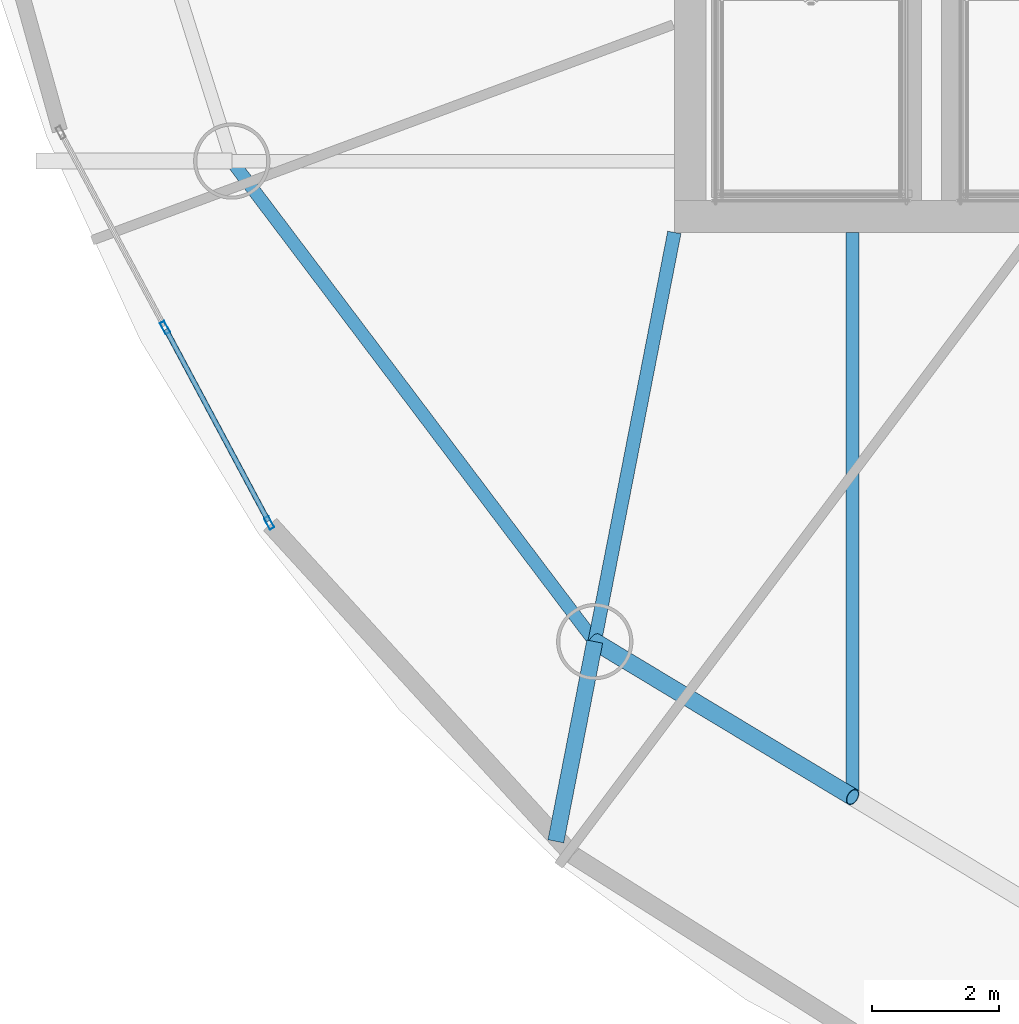
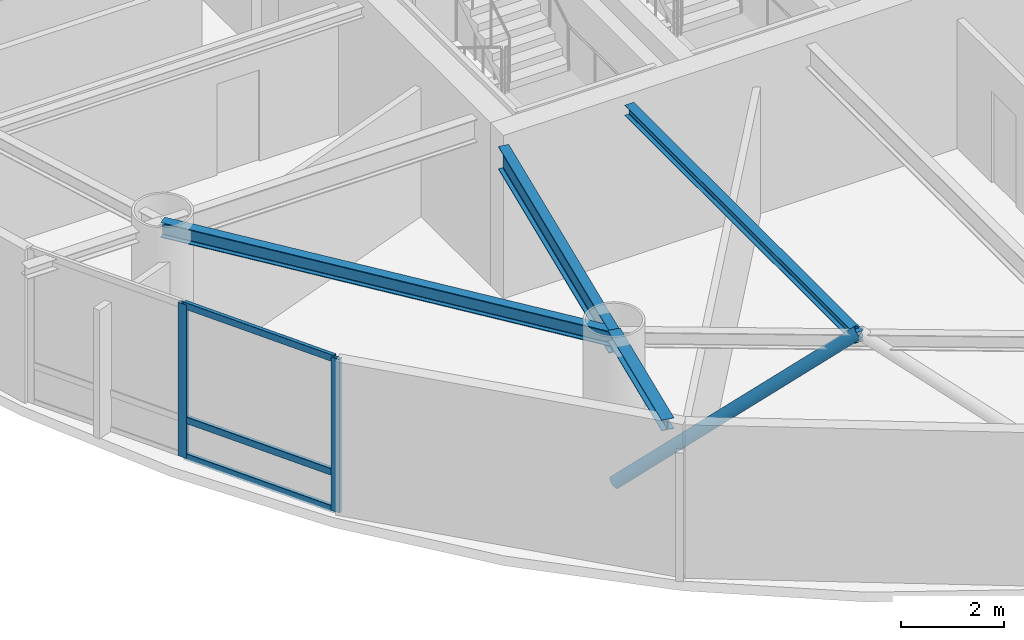
# One storey, part 2 of 22: 6 members, 4 beams, 1 element without a shape of its own.
"""IFC4 building model written with IfcOpenShell, lengths in metres."""

import ifcopenshell
import ifcopenshell.guid

model = None  # the IFC model being written
_history = None  # IfcOwnerHistory: only IFC2X3 demands one
_inside = {}  # id of a spatial element -> (the spatial element, [elements in it])
_under = {}  # id of a project, library or spatial element -> (it, [spatial elements below it])
_declared = {}  # id of a project -> (the project, [libraries it declares])
_typed = {}  # id of a type object -> (the type object, [elements of that type])
_made_of = {}  # id of a material, layer set ... -> (it, [elements and type objects made of it])


def new_model(schema):
    """Start an empty IFC model of exactly this schema.

    Asked for "IFC4X3", IfcOpenShell would pick the latest addendum, in which some entities
    have other attributes; the version numbers below select the first issue.
    IFC2X3 requires an IfcOwnerHistory on every rooted entity: one is made here for all.
    """
    global model, _history
    if schema == "IFC4X3":
        model = ifcopenshell.file(schema_version=(4, 3, 0, 0))
    else:
        model = ifcopenshell.file(schema=schema)
    _inside.clear()
    _under.clear()
    _declared.clear()
    _typed.clear()
    _made_of.clear()
    _history = None
    if model.schema == "IFC2X3":
        org = make("IfcOrganization", Name="unknown")
        user = make(
            "IfcPersonAndOrganization",
            ThePerson=make("IfcPerson", FamilyName="unknown"),
            TheOrganization=org,
        )
        app = make(
            "IfcApplication",
            ApplicationDeveloper=org,
            Version="unknown",
            ApplicationFullName="unknown",
            ApplicationIdentifier="unknown",
        )
        _history = make(
            "IfcOwnerHistory",
            OwningUser=user,
            OwningApplication=app,
            ChangeAction="ADDED",
            CreationDate=0,
        )
    return model


def make(cls, **values):
    """One entity of the class cls with the attributes given. An attribute that is None is left unset."""
    return model.create_entity(
        cls, **{name: value for name, value in values.items() if value is not None}
    )


def rooted(cls, **values):
    """An entity with a GlobalId (a new one), such as an element, a storey or a relation."""
    return make(cls, GlobalId=ifcopenshell.guid.new(), OwnerHistory=_history, **values)


def si_unit(unit_type, name, prefix=None):
    """IfcSIUnit, for example si_unit("LENGTHUNIT", "METRE", prefix="MILLI")."""
    return make("IfcSIUnit", UnitType=unit_type, Prefix=prefix, Name=name)


def assignment(units):
    """IfcUnitAssignment: the units of a project."""
    return None if units is None else make("IfcUnitAssignment", Units=units)


def point(xyz):
    """IfcCartesianPoint."""
    return None if xyz is None else make("IfcCartesianPoint", Coordinates=xyz)


def direction(xyz):
    """IfcDirection."""
    return None if xyz is None else make("IfcDirection", DirectionRatios=xyz)


def frame(location, z_axis=None, x_axis=None):
    """IfcAxis2Placement3D, a coordinate frame: its origin and axes. An axis left out is left unset."""
    return make(
        "IfcAxis2Placement3D",
        Location=point(location),
        Axis=direction(z_axis),
        RefDirection=direction(x_axis),
    )


def frame_2d(location, x_axis=None):
    """IfcAxis2Placement2D, a coordinate frame in the plane: its origin and x axis."""
    return make(
        "IfcAxis2Placement2D", Location=point(location), RefDirection=direction(x_axis)
    )


def origin():
    """The frame at (0, 0, 0) with its axes left unset."""
    return frame((0.0, 0.0, 0.0))


def origin_2d():
    """The frame at (0, 0) in the plane with its x axis left unset."""
    return frame_2d((0.0, 0.0))


def place(relative_to, where):
    """IfcLocalPlacement: puts the frame where relative to a parent placement (None: the world)."""
    return make(
        "IfcLocalPlacement", PlacementRelTo=relative_to, RelativePlacement=where
    )


def context(
    kind, dimensions, precision=None, world=None, true_north=None, identifier=None
):
    """IfcGeometricRepresentationContext, for example the 3D "Model" context."""
    return make(
        "IfcGeometricRepresentationContext",
        ContextIdentifier=identifier,
        ContextType=kind,
        CoordinateSpaceDimension=dimensions,
        Precision=precision,
        WorldCoordinateSystem=world,
        TrueNorth=true_north,
    )


def subcontext(parent, identifier, kind, view, scale=None):
    """IfcGeometricRepresentationSubContext, for example "Body" below "Model"."""
    return make(
        "IfcGeometricRepresentationSubContext",
        ContextIdentifier=identifier,
        ContextType=kind,
        ParentContext=parent,
        TargetScale=scale,
        TargetView=view,
    )


def project(units=None, contexts=None):
    """IfcProject with its units and contexts."""
    return rooted(
        "IfcProject",
        Name="project",
        RepresentationContexts=contexts,
        UnitsInContext=assignment(units),
    )


def spatial(cls, under=None, at=None, **own):
    """A site, building, storey or space (cls), placed at a placement, below another one or the project."""
    s = rooted(cls, ObjectPlacement=at, **own)
    if under is not None:
        _under.setdefault(under.id(), (under, []))[1].append(s)
    return s


def profile(cls, at=None, kind="AREA", **sizes):
    """A parametric profile (cls). Its sizes go by their IFC names, for example OverallWidth=200.0."""
    return make(cls, ProfileType=kind, Position=at, **sizes)


def hollow_rectangle(**sizes):
    """IfcRectangleHollowProfileDef."""
    return profile("IfcRectangleHollowProfileDef", **sizes)


def hollow_circle(**sizes):
    """IfcCircleHollowProfileDef."""
    return profile("IfcCircleHollowProfileDef", **sizes)


def i_section(**sizes):
    """IfcIShapeProfileDef."""
    return profile("IfcIShapeProfileDef", **sizes)


def extrude(swept, where, along, depth):
    """IfcExtrudedAreaSolid: the profile swept, set in the frame where, extruded along a direction by depth."""
    return make(
        "IfcExtrudedAreaSolid",
        SweptArea=swept,
        Position=where,
        ExtrudedDirection=direction(along),
        Depth=depth,
    )


def shape(context_of_items, identifier, shape_type, items):
    """IfcShapeRepresentation: the items that make up one representation, for example the "Body"."""
    return make(
        "IfcShapeRepresentation",
        ContextOfItems=context_of_items,
        RepresentationIdentifier=identifier,
        RepresentationType=shape_type,
        Items=items,
    )


def material(Name=None, Category=None):
    """IfcMaterial."""
    return make("IfcMaterial", Name=Name, Category=Category)


def layer(
    of_material, thickness, ventilated=None, Name=None, Category=None, Priority=None
):
    """IfcMaterialLayer: one layer of a wall or slab, of a material (None: an air gap)."""
    return make(
        "IfcMaterialLayer",
        Material=of_material,
        LayerThickness=thickness,
        IsVentilated=ventilated,
        Name=Name,
        Category=Category,
        Priority=Priority,
    )


def layer_set(layers, Name=None):
    """IfcMaterialLayerSet."""
    return make("IfcMaterialLayerSet", MaterialLayers=layers, LayerSetName=Name)


def material_profile(
    of_material, cross_section, Name=None, Category=None, Priority=None
):
    """IfcMaterialProfile: a cross section and its material."""
    return make(
        "IfcMaterialProfile",
        Name=Name,
        Material=of_material,
        Profile=cross_section,
        Priority=Priority,
        Category=Category,
    )


def profile_set(profiles, Name=None, composite=None):
    """IfcMaterialProfileSet."""
    return make(
        "IfcMaterialProfileSet",
        Name=Name,
        MaterialProfiles=profiles,
        CompositeProfile=composite,
    )


def made_of(thing, what):
    """Note that an element or type object is made of a material, layer set ...; save() writes the relation."""
    if what is not None:
        _made_of.setdefault(what.id(), (what, []))[1].append(thing)
    return thing


def type_object(cls, material=None, **own):
    """A type object (cls), such as IfcWallType, which elements share."""
    return made_of(rooted(cls, **own), material)


def element(
    cls,
    number,
    at=None,
    inside=None,
    cuts=None,
    type_object=None,
    material=None,
    context=None,
    identifier="Body",
    shape_type=None,
    held_by="IfcProductDefinitionShape",
    body=None,
    shapes=None,
    **own,
):
    """One element of the class cls, such as IfcWall. Its Tag is "e" and its number.

    at: its placement. inside: the storey or other place that contains it. cuts: it is an
    opening in that element (IfcRelVoidsElement). A single representation is given by context,
    identifier, shape_type and body (its items); several are given by shapes. held_by: the class
    of the entity that holds the representations. save() writes the other relations.
    """
    e = rooted(cls, Tag="e%d" % number, ObjectPlacement=at, **own)
    if body is not None:
        shapes = [shape(context, identifier, shape_type, body)]
    if shapes is not None:
        e.Representation = make(held_by, Representations=shapes)
    if inside is not None:
        _inside.setdefault(inside.id(), (inside, []))[1].append(e)
    if cuts is not None:
        rooted(
            "IfcRelVoidsElement", RelatingBuildingElement=cuts, RelatedOpeningElement=e
        )
    if type_object is not None:
        _typed.setdefault(type_object.id(), (type_object, []))[1].append(e)
    return made_of(e, material)


def aggregate(whole, parts):
    """IfcRelAggregates: a whole, such as a stair, and the parts it consists of."""
    return rooted("IfcRelAggregates", RelatingObject=whole, RelatedObjects=parts)


def save(model, path):
    """Write the relations noted so far, then the file.

    IfcRelAggregates (storeys below a building ...), IfcRelContainedInSpatialStructure (elements
    in a storey), IfcRelDefinesByType, IfcRelAssociatesMaterial and IfcRelDeclares: one each for
    every whole, place, type object, material and project.
    """
    for whole, parts in _under.values():
        aggregate(whole, parts)
    for where, things in _inside.values():
        rooted(
            "IfcRelContainedInSpatialStructure",
            RelatedElements=things,
            RelatingStructure=where,
        )
    for kind, things in _typed.values():
        rooted("IfcRelDefinesByType", RelatedObjects=things, RelatingType=kind)
    for what, things in _made_of.values():
        rooted("IfcRelAssociatesMaterial", RelatedObjects=things, RelatingMaterial=what)
    for by, libraries in _declared.values():
        rooted("IfcRelDeclares", RelatingContext=by, RelatedDefinitions=libraries)
    model.write(path)


model = new_model("IFC4")

# Units and contexts
model_context = context("Model", 3, precision=1e-05, world=origin(), true_north=direction((0.0, 1.0)))
body_context = subcontext(model_context, "Body", "Model", "MODEL_VIEW")
ifc_project = project(units=[si_unit("LENGTHUNIT", "METRE"), si_unit("AREAUNIT", "SQUARE_METRE"), si_unit("VOLUMEUNIT", "CUBIC_METRE"), si_unit("PLANEANGLEUNIT", "RADIAN"), si_unit("MASSUNIT", "GRAM", prefix="KILO")], contexts=[model_context])

# Site, building, storey
site_placement = place(None, origin())
site = spatial("IfcSite", under=ifc_project, at=site_placement, CompositionType="ELEMENT")
building_placement = place(site_placement, origin())
building = spatial("IfcBuilding", under=site, at=building_placement, Name="Bramvorn Convention Spire", CompositionType="ELEMENT")
storey_placement = place(building_placement, frame((0.0, 0.0, 190.449951171875)))
storey = spatial("IfcBuildingStorey", under=building, at=storey_placement, Name="L48", CompositionType="ELEMENT", Elevation=190.449951171875)

# Beams
ifc_material_1 = material(Name="Steel CSA G40.21 Grade 350 (350W)", Category="steel")
ifc_material_profile_1 = material_profile(ifc_material_1, i_section(OverallWidth=0.201904296875, OverallDepth=0.2470703125, WebThickness=0.00732421875, FlangeThickness=0.010986328125, FilletRadius=0.011962890625, at=origin_2d()))
ifc_profile_set_1 = profile_set([ifc_material_profile_1], Name="Steel CSA G40.21 Grade 350 (350W) - W250X49")
beam_type_1 = type_object("IfcBeamType", Name="BM-W250X49", PredefinedType="JOIST", material=ifc_profile_set_1)
beam_1_placement = place(storey_placement, frame((29.554443359375, 18.550048828125, 3.49658203125), z_axis=(0.0, -1.0, 0.0), x_axis=(1.0, 0.0, 0.0)))
element("IfcBeam", 1, at=beam_1_placement, inside=storey, type_object=beam_type_1, Name="L48 composite floor joist 13", PredefinedType="JOIST", context=body_context, shape_type="SweptSolid", body=[
    extrude(i_section(OverallWidth=0.201904296875, OverallDepth=0.2470703125, WebThickness=0.00732421875, FlangeThickness=0.010986328125, FilletRadius=0.011962890625, at=origin_2d()), origin(), (0.0, 0.0, 1.0), 8.878662109375),
])
ifc_material_profile_2 = material_profile(ifc_material_1, i_section(OverallWidth=0.25390625, OverallDepth=0.2529296875, WebThickness=0.008544921875, FlangeThickness=0.01416015625, FilletRadius=0.011962890625, at=origin_2d()))
ifc_profile_set_2 = profile_set([ifc_material_profile_2], Name="Steel CSA G40.21 Grade 350 (350W) - W250X73")
beam_type_2 = type_object("IfcBeamType", Name="BM-W250X73", PredefinedType="BEAM", material=ifc_profile_set_2)
beam_2_placement = place(storey_placement, frame((25.498046875, 12.114990234375, 3.49365234375), z_axis=(-0.190977895588, -0.981594337492, 0.0), x_axis=(0.981594337492, -0.190977895588, 0.0)))
element("IfcBeam", 2, at=beam_2_placement, inside=storey, type_object=beam_type_2, Name="L48 slab-edge cantilever tip beam MC13", PredefinedType="BEAM", context=body_context, shape_type="SweptSolid", body=[
    extrude(i_section(OverallWidth=0.25390625, OverallDepth=0.2529296875, WebThickness=0.008544921875, FlangeThickness=0.01416015625, FilletRadius=0.011962890625, at=origin_2d()), origin(), (0.0, 0.0, 1.0), 3.19970703125),
])
ifc_material_profile_3 = material_profile(ifc_material_1, i_section(OverallWidth=0.205078125, OverallDepth=0.35400390625, WebThickness=0.009521484375, FlangeThickness=0.016845703125, FilletRadius=0.014892578125, at=origin_2d()))
ifc_profile_set_3 = profile_set([ifc_material_profile_3], Name="Steel CSA G40.21 Grade 350 (350W) - W360X79")
beam_type_3 = type_object("IfcBeamType", Name="BM-W360X79", PredefinedType="JOIST", material=ifc_profile_set_3)
beam_3_placement = place(storey_placement, frame((19.78955078125, 19.672607421875, 3.443115234375), z_axis=(0.602718581414, -0.797953827999, 0.0), x_axis=(0.797953827999, 0.602718581414, 0.0)))
element("IfcBeam", 3, at=beam_3_placement, inside=storey, type_object=beam_type_3, Name="L48 mega-column ring beam 12", PredefinedType="JOIST", context=body_context, shape_type="SweptSolid", body=[
    extrude(i_section(OverallWidth=0.205078125, OverallDepth=0.35400390625, WebThickness=0.009521484375, FlangeThickness=0.016845703125, FilletRadius=0.014892578125, at=origin_2d()), origin(), (0.0, 0.0, 1.0), 9.47119140625),
])
ifc_material_profile_4 = material_profile(ifc_material_1, i_section(OverallWidth=0.2119140625, OverallDepth=0.5439453125, WebThickness=0.01318359375, FlangeThickness=0.021240234375, FilletRadius=0.01904296875, at=origin_2d()))
ifc_profile_set_4 = profile_set([ifc_material_profile_4], Name="Steel CSA G40.21 Grade 350 (350W) - W530X123")
beam_type_4 = type_object("IfcBeamType", Name="BM-W530X123", PredefinedType="BEAM", material=ifc_profile_set_4)
beam_4_placement = place(storey_placement, frame((26.75, 18.550048828125, 3.34814453125), z_axis=(-0.190971329886, -0.981595614885, 0.0), x_axis=(0.981595614885, -0.190971329886, 0.0)))
element("IfcBeam", 4, at=beam_4_placement, inside=storey, type_object=beam_type_4, Name="L48 radial floor girder MC13", PredefinedType="BEAM", context=body_context, shape_type="SweptSolid", body=[
    extrude(i_section(OverallWidth=0.2119140625, OverallDepth=0.5439453125, WebThickness=0.01318359375, FlangeThickness=0.021240234375, FilletRadius=0.01904296875, at=origin_2d()), origin(), (0.0, 0.0, 1.0), 6.5556640625),
])

# Curtain wall, members
ifc_material_2 = material(Name="Anodised Bronze Unitised Curtain Wall", Category="aluminium")
ifc_layer = layer(ifc_material_2, 0.179931640625)
ifc_layer_set = layer_set([ifc_layer], Name="Anodised Bronze Unitised Curtain Wall - CW-OFF-FRIT")
curtain_wall_type = type_object("IfcCurtainWallType", Name="CW-OFF-FRIT", PredefinedType="USERDEFINED", material=ifc_layer_set)
curtain_wall_placement = place(storey_placement, origin())
curtain_wall = element("IfcCurtainWall", 5, at=curtain_wall_placement, inside=storey, type_object=curtain_wall_type, Name="L48 fritted glass curtain wall 17", ObjectType="UNITISED CURTAIN WALL", PredefinedType="USERDEFINED")
ifc_material_3 = material(Name="Anodised Bronze Aluminium 6063-T6", Category="aluminium")
ifc_material_profile_5 = material_profile(ifc_material_3, hollow_rectangle(XDim=0.080078125, YDim=0.199951171875, WallThickness=0.00390625, InnerFilletRadius=0.0009765625, OuterFilletRadius=0.00390625, at=origin_2d()))
ifc_profile_set_5 = profile_set([ifc_material_profile_5], Name="Anodised Bronze Aluminium 6063-T6 - CWM80X200")
member_type_1 = type_object("IfcMemberType", Name="CW-MUL-180", PredefinedType="MULLION", material=ifc_profile_set_5)
member_1_placement = place(storey_placement, frame((20.37841796875, 13.983642578125, 0.0), z_axis=(0.0, 0.0, 1.0), x_axis=(-0.882046650653, -0.471162080469, 0.0)))
member_1 = element("IfcMember", 6, at=member_1_placement, type_object=member_type_1, Name="CW3 mullion 1", PredefinedType="MULLION", context=body_context, shape_type="SweptSolid", body=[
    extrude(hollow_rectangle(XDim=0.080078125, YDim=0.199951171875, WallThickness=0.00390625, InnerFilletRadius=0.0009765625, OuterFilletRadius=0.00390625, at=origin_2d()), origin(), (0.0, 0.0, 1.0), 3.6201171875),
])
member_2_placement = place(storey_placement, frame((18.739501953125, 17.05224609375, 0.0), z_axis=(0.0, 0.0, 1.0), x_axis=(-0.882046650653, -0.471162080469, 0.0)))
member_2 = element("IfcMember", 7, at=member_2_placement, type_object=member_type_1, Name="CW3 mullion 2", PredefinedType="MULLION", context=body_context, shape_type="SweptSolid", body=[
    extrude(hollow_rectangle(XDim=0.080078125, YDim=0.199951171875, WallThickness=0.00390625, InnerFilletRadius=0.0009765625, OuterFilletRadius=0.00390625, at=origin_2d()), origin(), (0.0, 0.0, 1.0), 3.6201171875),
])
ifc_material_profile_6 = material_profile(ifc_material_3, hollow_rectangle(XDim=0.080078125, YDim=0.159912109375, WallThickness=0.00390625, InnerFilletRadius=0.0009765625, OuterFilletRadius=0.00390625, at=origin_2d()))
ifc_profile_set_6 = profile_set([ifc_material_profile_6], Name="Anodised Bronze Aluminium 6063-T6 - CWT80X160")
member_type_2 = type_object("IfcMemberType", Name="CW-TRN-150", PredefinedType="USERDEFINED", material=ifc_profile_set_6)
member_3_placement = place(storey_placement, frame((20.3642578125, 14.01025390625, 0.030029296875), z_axis=(-0.471188595737, 0.882032486503, 0.0), x_axis=(-0.882032486503, -0.471188595737, 0.0)))
member_3 = element("IfcMember", 8, at=member_3_placement, type_object=member_type_2, Name="CW3 transom 1.1", ObjectType="TRANSOM", PredefinedType="USERDEFINED", context=body_context, shape_type="SweptSolid", body=[
    extrude(hollow_rectangle(XDim=0.080078125, YDim=0.159912109375, WallThickness=0.00390625, InnerFilletRadius=0.0009765625, OuterFilletRadius=0.00390625, at=origin_2d()), origin(), (0.0, 0.0, 1.0), 3.418701171875),
])
member_4_placement = place(storey_placement, frame((20.3642578125, 14.01025390625, 0.900146484375), z_axis=(-0.471188595737, 0.882032486503, 0.0), x_axis=(-0.882032486503, -0.471188595737, 0.0)))
member_4 = element("IfcMember", 9, at=member_4_placement, type_object=member_type_2, Name="CW3 transom 1.2", ObjectType="TRANSOM", PredefinedType="USERDEFINED", context=body_context, shape_type="SweptSolid", body=[
    extrude(hollow_rectangle(XDim=0.080078125, YDim=0.159912109375, WallThickness=0.00390625, InnerFilletRadius=0.0009765625, OuterFilletRadius=0.00390625, at=origin_2d()), origin(), (0.0, 0.0, 1.0), 3.418701171875),
])
member_5_placement = place(storey_placement, frame((20.3642578125, 14.01025390625, 3.590087890625), z_axis=(-0.471188595737, 0.882032486503, 0.0), x_axis=(-0.882032486503, -0.471188595737, 0.0)))
member_5 = element("IfcMember", 10, at=member_5_placement, type_object=member_type_2, Name="CW3 transom 1.3", ObjectType="TRANSOM", PredefinedType="USERDEFINED", context=body_context, shape_type="SweptSolid", body=[
    extrude(hollow_rectangle(XDim=0.080078125, YDim=0.159912109375, WallThickness=0.00390625, InnerFilletRadius=0.0009765625, OuterFilletRadius=0.00390625, at=origin_2d()), origin(), (0.0, 0.0, 1.0), 3.418701171875),
])
aggregate(curtain_wall, [member_1, member_2, member_3, member_4, member_5])

# Member
ifc_material_profile_7 = material_profile(ifc_material_1, hollow_circle(Radius=0.136474609375, WallThickness=0.0126953125, at=origin_2d()))
ifc_profile_set_7 = profile_set([ifc_material_profile_7], Name="Steel CSA G40.21 Grade 350 (350W) - CHS273X13")
member_type_3 = type_object("IfcMemberType", Name="MBR-CHS273X13", PredefinedType="BRACE", material=ifc_profile_set_7)
member_6_placement = place(storey_placement, frame((25.498046875, 12.114990234375, 0.0), z_axis=(0.680515326129, -0.409947511238, 0.607323578443), x_axis=(0.516011266543, 0.856581795745, 0.0)))
element("IfcMember", 11, at=member_6_placement, inside=storey, type_object=member_type_3, Name="L48 perimeter Gothic lancet brace 13A", PredefinedType="BRACE", context=body_context, shape_type="SweptSolid", body=[
    extrude(hollow_circle(Radius=0.136474609375, WallThickness=0.0126953125, at=origin_2d()), origin(), (0.0, 0.0, 1.0), 5.960693359375),
])

save(model, "model.ifc")
